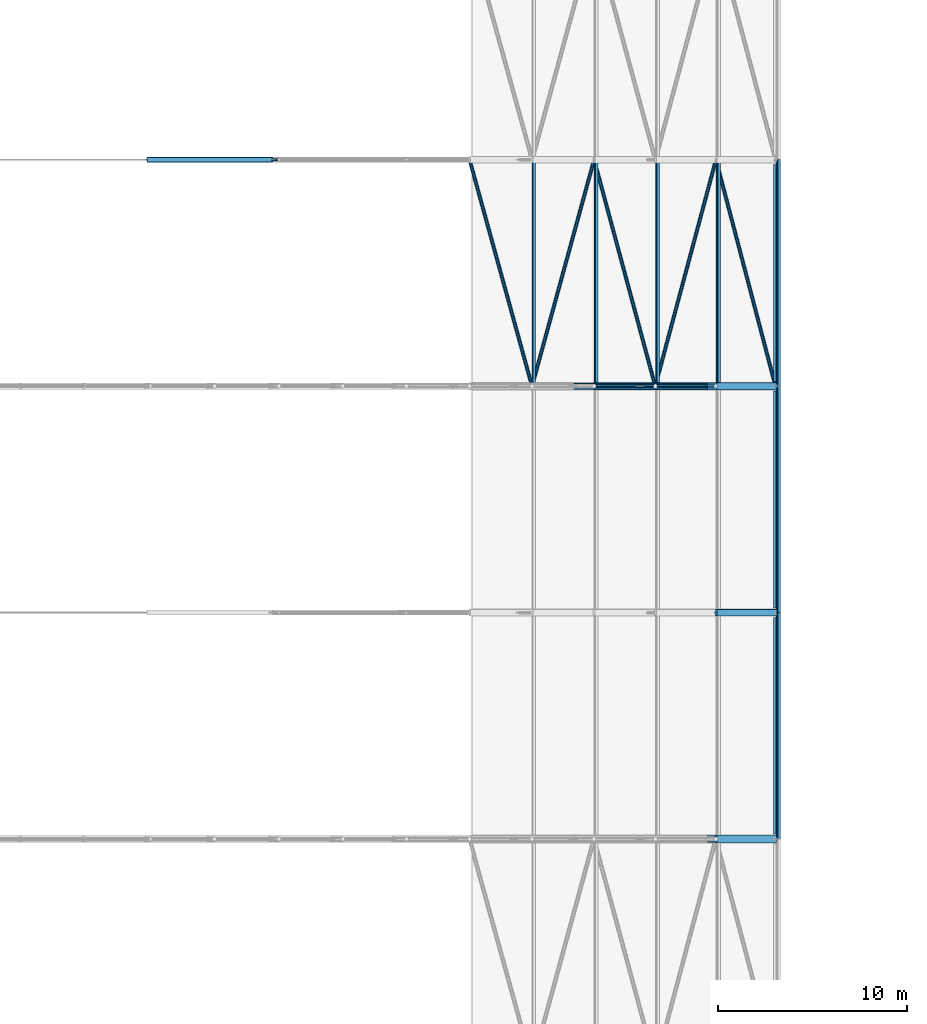
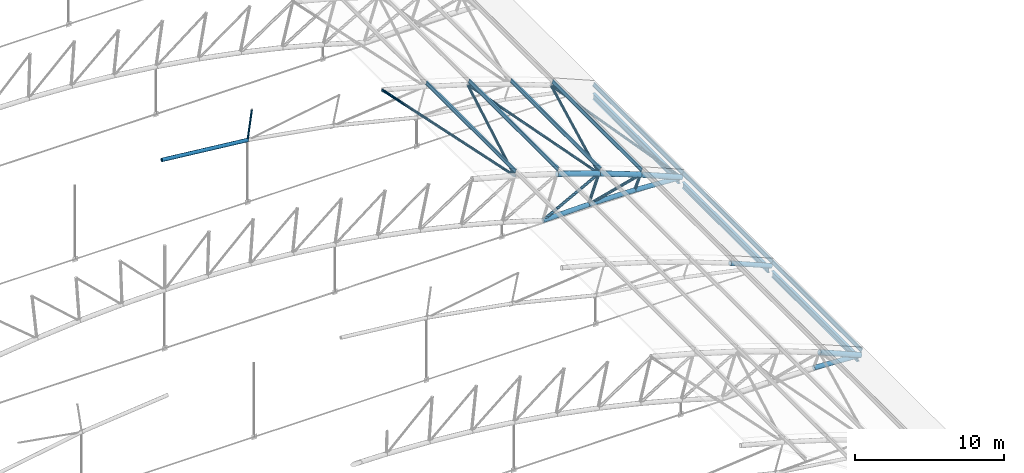
# One storey, part 102 of 321: 27 members, 3 beams.
"""IFC4 building model written with IfcOpenShell, lengths in metres."""

from ifc_helpers import new_model, si_unit, direction, frame, origin, origin_2d, place, context, subcontext, project, spatial, hollow_circle, i_section, extrude, material, material_profile, profile_set, type_object, element, save


model = new_model("IFC4")

# Units and contexts
model_context = context("Model", 3, precision=1e-05, world=origin(), true_north=direction((0.0, 1.0)))
body_context = subcontext(model_context, "Body", "Model", "MODEL_VIEW")
ifc_project = project(units=[si_unit("LENGTHUNIT", "METRE"), si_unit("AREAUNIT", "SQUARE_METRE"), si_unit("VOLUMEUNIT", "CUBIC_METRE"), si_unit("PLANEANGLEUNIT", "RADIAN"), si_unit("MASSUNIT", "GRAM", prefix="KILO")], contexts=[model_context])

# Site, building, storey
site_placement = place(None, origin())
site = spatial("IfcSite", under=ifc_project, at=site_placement, CompositionType="ELEMENT")
building_placement = place(site_placement, origin())
building = spatial("IfcBuilding", under=site, at=building_placement, Name="Ravi Spectrum Wholesale Market", CompositionType="ELEMENT")
storey_placement = place(building_placement, frame((0.0, 0.0, 10.800048828125)))
storey = spatial("IfcBuildingStorey", under=building, at=storey_placement, Name="L02", CompositionType="ELEMENT", Elevation=10.800048828125)

# Members
ifc_material_1 = material(Name="Steel S355", Category="steel")
ifc_material_profile_1 = material_profile(ifc_material_1, hollow_circle(Radius=0.06982421875, WallThickness=0.0048828125, at=origin_2d()))
ifc_profile_set_1 = profile_set([ifc_material_profile_1], Name="Steel S355")
member_type_1 = type_object("IfcMemberType", Name="CHS 139.7x5 post", PredefinedType="POST", material=ifc_profile_set_1)
member_1_placement = place(storey_placement, frame((83.681884765625, 114.0, 7.479736328125), z_axis=(-0.137532332315, 0.0, -0.990497277921), x_axis=(0.0, -1.0, 0.0)))
element("IfcMember", 1, at=member_1_placement, inside=storey, type_object=member_type_1, Name="H1-MB-L02-629", PredefinedType="POST", context=body_context, shape_type="SweptSolid", body=[
    extrude(hollow_circle(Radius=0.06982421875, WallThickness=0.0048828125, at=origin_2d()), origin(), (0.0, 0.0, 1.0), 2.39990234375),
])
ifc_material_2 = material(Name="Steel S355", Category="steel")
ifc_material_profile_2 = material_profile(ifc_material_2, hollow_circle(Radius=0.096923828125, WallThickness=0.00634765625, at=origin_2d()))
ifc_profile_set_2 = profile_set([ifc_material_profile_2], Name="Steel S355")
member_type_2 = type_object("IfcMemberType", Name="CHS 193.7x6.3 brace", PredefinedType="BRACE", material=ifc_profile_set_2)
for number, where, z_axis, x_axis, name in (
    (2, (93.786865234375, 114.0, 5.5390625), (0.265211760798, -0.961475768309, -0.072298470859), (0.963998512585, 0.265907630079, 0.0), "H1-MB-L02-1651"),
    (3, (97.096923828125, 102.0, 4.63671875), (0.263726012754, 0.961479081656, -0.077502036978), (-0.964379749157, 0.264521642622, 0.0), "H1-MB-L02-1652"),
    (4, (100.388427734375, 114.0, 3.66943359375), (0.259597548591, -0.961475300154, -0.0904121671), (0.965429280275, 0.260665120006, 0.0), "H1-MB-L02-1653"),
    (5, (103.62841796875, 102.0, 2.541015625), (0.257759532951, 0.961478072674, -0.095498371395), (-0.96589260156, 0.258943009659, 0.0), "H1-MB-L02-1654"),
):
    element("IfcMember", number, at=place(storey_placement, frame(where, z_axis=z_axis, x_axis=x_axis)), inside=storey, type_object=member_type_2, Name=name, PredefinedType="BRACE", context=body_context, shape_type="SweptSolid", body=[
        extrude(hollow_circle(Radius=0.096923828125, WallThickness=0.00634765625, at=origin_2d()), origin(), (0.0, 0.0, 1.0), 12.480712890625),
    ])
member_2_placement = place(storey_placement, frame((106.845458984375, 114.0, 1.34912109375), z_axis=(0.252750787053, -0.961474087551, -0.108095414384), x_axis=(0.967141027223, 0.254240503189, 0.0)))
element("IfcMember", 6, at=member_2_placement, inside=storey, type_object=member_type_2, Name="H1-MB-L02-1655", PredefinedType="BRACE", context=body_context, shape_type="SweptSolid", body=[
    extrude(hollow_circle(Radius=0.096923828125, WallThickness=0.00634765625, at=origin_2d()), origin(), (0.0, 0.0, 1.0), 12.48095703125),
])
ifc_material_3 = material(Name="Steel S355", Category="steel")
ifc_material_profile_3 = material_profile(ifc_material_3, hollow_circle(Radius=0.109619140625, WallThickness=0.008056640625, at=origin_2d()))
ifc_profile_set_3 = profile_set([ifc_material_profile_3], Name="Steel S355")
member_type_3 = type_object("IfcMemberType", Name="CHS 219.1x8 brace", PredefinedType="BRACE", material=ifc_profile_set_3)
member_3_placement = place(storey_placement, frame((103.62841796875, 102.0, 2.541015625), z_axis=(-0.881933088563, 0.0, -0.471374614608), x_axis=(0.0, -1.0, 0.0)))
element("IfcMember", 7, at=member_3_placement, inside=storey, type_object=member_type_3, Name="H1-MB-L02-578", PredefinedType="BRACE", context=body_context, shape_type="SweptSolid", body=[
    extrude(hollow_circle(Radius=0.109619140625, WallThickness=0.008056640625, at=origin_2d()), origin(), (0.0, 0.0, 1.0), 4.9296875),
])
member_4_placement = place(storey_placement, frame((106.836181640625, 102.0, 1.325439453125), z_axis=(-0.967942387937, 0.0, -0.251172318609), x_axis=(0.0, -1.0, 0.0)))
element("IfcMember", 8, at=member_4_placement, inside=storey, type_object=member_type_3, Name="H1-MB-L02-579", PredefinedType="BRACE", context=body_context, shape_type="SweptSolid", body=[
    extrude(hollow_circle(Radius=0.109619140625, WallThickness=0.008056640625, at=origin_2d()), origin(), (0.0, 0.0, 1.0), 4.15234375),
])
ifc_material_4 = material(Name="Steel S355", Category="steel")
ifc_material_profile_4 = material_profile(ifc_material_4, hollow_circle(Radius=0.109619140625, WallThickness=0.008056640625, at=origin_2d()))
ifc_profile_set_4 = profile_set([ifc_material_profile_4], Name="Steel S355")
member_type_4 = type_object("IfcMemberType", Name="CHS 219.1x8 post", PredefinedType="POST", material=ifc_profile_set_4)
member_5_placement = place(storey_placement, frame((103.62841796875, 102.0, 2.541015625), z_axis=(-0.338146640483, 0.0, -0.941093432944), x_axis=(0.0, -1.0, 0.0)))
element("IfcMember", 9, at=member_5_placement, inside=storey, type_object=member_type_4, Name="H1-MB-L02-556", PredefinedType="POST", context=body_context, shape_type="SweptSolid", body=[
    extrude(hollow_circle(Radius=0.109619140625, WallThickness=0.008056640625, at=origin_2d()), origin(), (0.0, 0.0, 1.0), 2.39990234375),
])
member_6_placement = place(storey_placement, frame((106.836181640625, 102.0, 1.325439453125), z_axis=(-0.370513497528, 0.0, -0.928827081942), x_axis=(0.0, -1.0, 0.0)))
element("IfcMember", 10, at=member_6_placement, inside=storey, type_object=member_type_4, Name="H1-MB-L02-557", PredefinedType="POST", context=body_context, shape_type="SweptSolid", body=[
    extrude(hollow_circle(Radius=0.109619140625, WallThickness=0.008056640625, at=origin_2d()), origin(), (0.0, 0.0, 1.0), 1.199951171875),
])
ifc_material_5 = material(Name="Steel S355", Category="steel")
ifc_material_profile_5 = material_profile(ifc_material_5, hollow_circle(Radius=0.136474609375, WallThickness=0.010009765625, at=origin_2d()))
ifc_profile_set_5 = profile_set([ifc_material_profile_5], Name="Steel S355")
member_type_5 = type_object("IfcMemberType", Name="CHS 273x10 chord", PredefinedType="CHORD", material=ifc_profile_set_5)
member_7_placement = place(storey_placement, frame((76.69189453125, 114.0, 5.79443359375), z_axis=(0.994646786479, 0.0, -0.103333296414), x_axis=(0.0, 1.0, 0.0)))
element("IfcMember", 11, at=member_7_placement, inside=storey, type_object=member_type_5, Name="H1-MB-L02-617", PredefinedType="CHORD", context=body_context, shape_type="SweptSolid", body=[
    extrude(hollow_circle(Radius=0.136474609375, WallThickness=0.010009765625, at=origin_2d()), origin(), (0.0, 0.0, 1.0), 6.69580078125),
])
ifc_material_6 = material(Name="Steel S355", Category="steel")
ifc_material_profile_6 = material_profile(ifc_material_6, hollow_circle(Radius=0.177734375, WallThickness=0.012451171875, at=origin_2d()))
ifc_profile_set_6 = profile_set([ifc_material_profile_6], Name="Steel S355")
member_type_6 = type_object("IfcMemberType", Name="CHS 355.6x12.5 chord", PredefinedType="CHORD", material=ifc_profile_set_6)
member_8_placement = place(storey_placement, frame((106.3916015625, 78.0, 0.2109375), z_axis=(0.998295734367, 0.0, -0.058357747936), x_axis=(0.0, 1.0, 0.0)))
element("IfcMember", 12, at=member_8_placement, inside=storey, type_object=member_type_6, Name="H1-MB-L02-372", PredefinedType="CHORD", context=body_context, shape_type="SweptSolid", body=[
    extrude(hollow_circle(Radius=0.177734375, WallThickness=0.012451171875, at=origin_2d()), origin(), (0.0, 0.0, 1.0), 3.614501953125),
])
member_9_placement = place(storey_placement, frame((106.845458984375, 90.0, 1.34912109375), z_axis=(0.922323660423, 0.0, -0.386418251929), x_axis=(0.0, 1.0, 0.0)))
element("IfcMember", 13, at=member_9_placement, inside=storey, type_object=member_type_6, Name="H1-MB-L02-447", PredefinedType="CHORD", context=body_context, shape_type="SweptSolid", body=[
    extrude(hollow_circle(Radius=0.177734375, WallThickness=0.012451171875, at=origin_2d()), origin(), (0.0, 0.0, 1.0), 3.431396484375),
])
member_10_placement = place(storey_placement, frame((99.28076171875, 102.0, 0.21728515625), z_axis=(0.999830134639, 0.0, 0.018431002896), x_axis=(0.0, 1.0, 0.0)))
element("IfcMember", 14, at=member_10_placement, inside=storey, type_object=member_type_6, Name="H1-MB-L02-532", PredefinedType="CHORD", context=body_context, shape_type="SweptSolid", body=[
    extrude(hollow_circle(Radius=0.177734375, WallThickness=0.012451171875, at=origin_2d()), origin(), (0.0, 0.0, 1.0), 3.53662109375),
])
member_11_placement = place(storey_placement, frame((102.81689453125, 102.0, 0.282470703125), z_axis=(0.999799841502, 0.0, -0.020006922112), x_axis=(0.0, 1.0, 0.0)))
element("IfcMember", 15, at=member_11_placement, inside=storey, type_object=member_type_6, Name="H1-MB-L02-533", PredefinedType="CHORD", context=body_context, shape_type="SweptSolid", body=[
    extrude(hollow_circle(Radius=0.177734375, WallThickness=0.012451171875, at=origin_2d()), origin(), (0.0, 0.0, 1.0), 3.575439453125),
])
member_12_placement = place(storey_placement, frame((106.3916015625, 102.0, 0.2109375), z_axis=(0.998295734367, 0.0, -0.058357747936), x_axis=(0.0, 1.0, 0.0)))
element("IfcMember", 16, at=member_12_placement, inside=storey, type_object=member_type_6, Name="H1-MB-L02-534", PredefinedType="CHORD", context=body_context, shape_type="SweptSolid", body=[
    extrude(hollow_circle(Radius=0.177734375, WallThickness=0.012451171875, at=origin_2d()), origin(), (0.0, 0.0, 1.0), 3.614501953125),
])
ifc_material_7 = material(Name="Steel S355", Category="steel")
ifc_material_profile_7 = material_profile(ifc_material_7, hollow_circle(Radius=0.203125, WallThickness=0.01611328125, at=origin_2d()))
ifc_profile_set_7 = profile_set([ifc_material_profile_7], Name="Steel S355")
member_type_7 = type_object("IfcMemberType", Name="CHS 406.4x16 chord", PredefinedType="CHORD", material=ifc_profile_set_7)
member_13_placement = place(storey_placement, frame((106.836181640625, 78.0, 1.325439453125), z_axis=(0.922331882778, 0.0, -0.386398625789), x_axis=(0.0, 1.0, 0.0)))
element("IfcMember", 17, at=member_13_placement, inside=storey, type_object=member_type_7, Name="H1-MB-L02-348", PredefinedType="CHORD", context=body_context, shape_type="SweptSolid", body=[
    extrude(hollow_circle(Radius=0.203125, WallThickness=0.01611328125, at=origin_2d()), origin(), (0.0, 0.0, 1.0), 3.43017578125),
])
for number, where, z_axis, x_axis, name in (
    (18, (100.380615234375, 102.0, 3.645263671875), (0.946773178626, 0.0, -0.321901457335), (0.0, 1.0, 0.0), "H1-MB-L02-508"),
    (19, (103.62841796875, 102.0, 2.541015625), (0.935109783896, 0.0, -0.354358140956), (0.0, 1.0, 0.0), "H1-MB-L02-509"),
):
    element("IfcMember", number, at=place(storey_placement, frame(where, z_axis=z_axis, x_axis=x_axis)), inside=storey, type_object=member_type_7, Name=name, PredefinedType="CHORD", context=body_context, shape_type="SweptSolid", body=[
        extrude(hollow_circle(Radius=0.203125, WallThickness=0.01611328125, at=origin_2d()), origin(), (0.0, 0.0, 1.0), 3.430419921875),
    ])
member_14_placement = place(storey_placement, frame((106.836181640625, 102.0, 1.325439453125), z_axis=(0.922331882778, 0.0, -0.386398625789), x_axis=(0.0, 1.0, 0.0)))
element("IfcMember", 20, at=member_14_placement, inside=storey, type_object=member_type_7, Name="H1-MB-L02-510", PredefinedType="CHORD", context=body_context, shape_type="SweptSolid", body=[
    extrude(hollow_circle(Radius=0.203125, WallThickness=0.01611328125, at=origin_2d()), origin(), (0.0, 0.0, 1.0), 3.43017578125),
])
ifc_material_8 = material(Name="Steel S355", Category="steel")
ifc_material_profile_8 = material_profile(ifc_material_8, i_section(OverallWidth=0.135009765625, OverallDepth=0.27001953125, WebThickness=0.006591796875, FlangeThickness=0.01025390625, at=origin_2d()))
ifc_profile_set_8 = profile_set([ifc_material_profile_8], Name="Steel S355")
member_type_8 = type_object("IfcMemberType", Name="IPE 270 purlin", PredefinedType="PURLIN", material=ifc_profile_set_8)
for number, where, z_axis, x_axis, name in (
    (21, (110.135986328125, 78.0, 0.3095703125), (0.0, 1.0, 0.0), (-0.915525334521, 0.0, 0.402260316027), "H1-MB-L02-1358"),
    (22, (110.135986328125, 90.0, 0.3095703125), (0.0, 1.0, 0.0), (-0.915525334521, 0.0, 0.402260316027), "H1-MB-L02-1383"),
    (23, (97.18896484375, 102.0, 4.962158203125), (0.0, 1.0, 0.0), (-0.96215600485, 0.0, 0.272499215286), "H1-MB-L02-1404"),
    (24, (100.484130859375, 102.0, 3.96728515625), (0.0, 1.0, 0.0), (-0.952184497174, 0.0, 0.305523621577), "H1-MB-L02-1405"),
    (25, (103.74267578125, 102.0, 2.859375), (0.0, 1.0, 0.0), (-0.941079849597, 0.0, 0.338184441811), "H1-MB-L02-1406"),
    (26, (106.96142578125, 102.0, 1.6396484375), (0.0, 1.0, 0.0), (-0.928855283584, 0.0, 0.370442792017), "H1-MB-L02-1407"),
    (27, (110.135986328125, 102.0, 0.3095703125), (0.0, 1.0, 0.0), (-0.915525334521, 0.0, 0.402260316027), "H1-MB-L02-1408"),
):
    element("IfcMember", number, at=place(storey_placement, frame(where, z_axis=z_axis, x_axis=x_axis)), inside=storey, type_object=member_type_8, Name=name, PredefinedType="PURLIN", context=body_context, shape_type="SweptSolid", body=[
        extrude(i_section(OverallWidth=0.135009765625, OverallDepth=0.27001953125, WebThickness=0.006591796875, FlangeThickness=0.01025390625, at=origin_2d()), origin(), (0.0, 0.0, 1.0), 12.0),
    ])

# Beams
ifc_material_9 = material(Name="Steel S355", Category="steel")
ifc_material_profile_9 = material_profile(ifc_material_9, i_section(OverallWidth=0.199951171875, OverallDepth=0.5, WebThickness=0.01025390625, FlangeThickness=0.01611328125, at=origin_2d()))
ifc_profile_set_9 = profile_set([ifc_material_profile_9], Name="Steel S355")
beam_type = type_object("IfcBeamType", Name="IPE 500 girder", PredefinedType="BEAM", material=ifc_profile_set_9)
for number, where, z_axis, x_axis, name in (
    (28, (110.0, 78.25390625, -0.449951171875), (0.0, 1.0, 0.0), (-1.0, 0.0, 0.0), "H1-BM-L02-019"),
    (29, (110.0, 90.25390625, -0.449951171875), (0.0, 1.0, 0.0), (-1.0, 0.0, 0.0), "H1-BM-L02-020"),
    (30, (110.0, 102.25390625, -0.449951171875), (0.0, 1.0, 0.0), (-1.0, 0.0, 0.0), "H1-BM-L02-021"),
):
    element("IfcBeam", number, at=place(storey_placement, frame(where, z_axis=z_axis, x_axis=x_axis)), inside=storey, type_object=beam_type, Name=name, PredefinedType="BEAM", context=body_context, shape_type="SweptSolid", body=[
        extrude(i_section(OverallWidth=0.199951171875, OverallDepth=0.5, WebThickness=0.01025390625, FlangeThickness=0.01611328125, at=origin_2d()), origin(), (0.0, 0.0, 1.0), 11.4921875),
    ])

save(model, "model.ifc")
